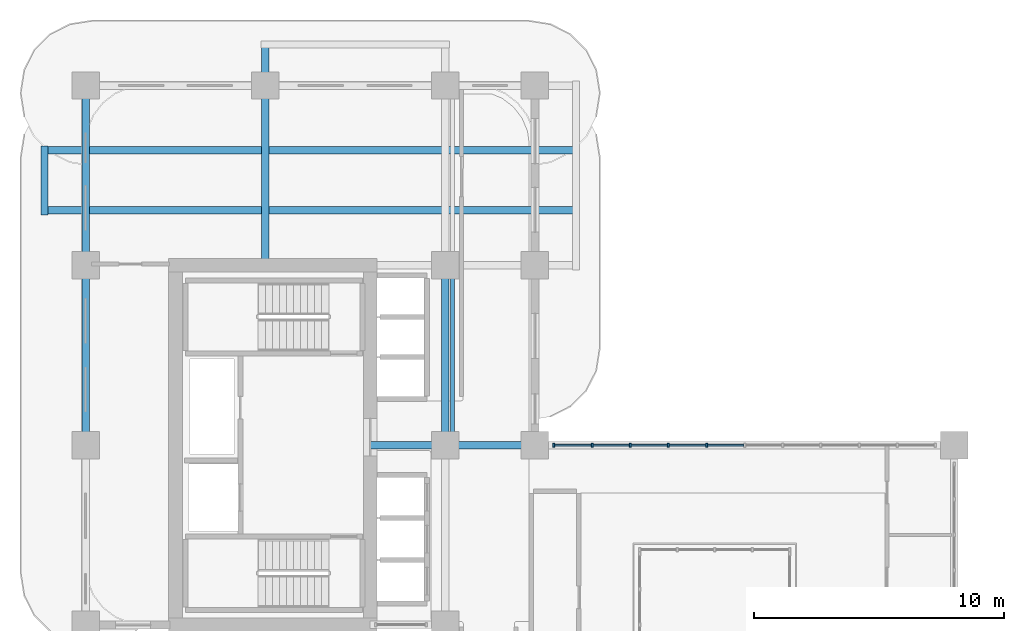
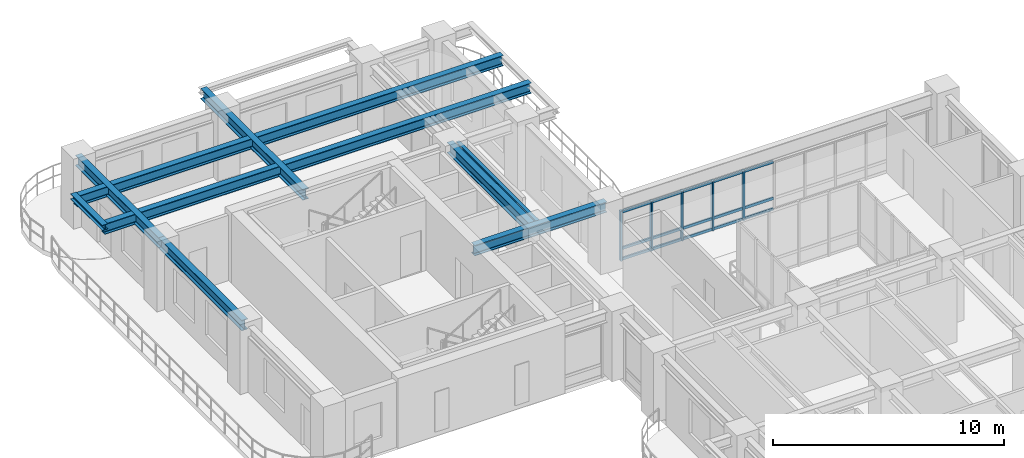
# One storey, part 6 of 22: 20 members, 9 beams, 1 element without a shape of its own.
"""IFC4 building model written with IfcOpenShell, lengths in metres."""

import ifcopenshell
import ifcopenshell.guid

model = None  # the IFC model being written
_history = None  # IfcOwnerHistory: only IFC2X3 demands one
_inside = {}  # id of a spatial element -> (the spatial element, [elements in it])
_under = {}  # id of a project, library or spatial element -> (it, [spatial elements below it])
_declared = {}  # id of a project -> (the project, [libraries it declares])
_typed = {}  # id of a type object -> (the type object, [elements of that type])
_made_of = {}  # id of a material, layer set ... -> (it, [elements and type objects made of it])


def new_model(schema):
    """Start an empty IFC model of exactly this schema.

    Asked for "IFC4X3", IfcOpenShell would pick the latest addendum, in which some entities
    have other attributes; the version numbers below select the first issue.
    IFC2X3 requires an IfcOwnerHistory on every rooted entity: one is made here for all.
    """
    global model, _history
    if schema == "IFC4X3":
        model = ifcopenshell.file(schema_version=(4, 3, 0, 0))
    else:
        model = ifcopenshell.file(schema=schema)
    _inside.clear()
    _under.clear()
    _declared.clear()
    _typed.clear()
    _made_of.clear()
    _history = None
    if model.schema == "IFC2X3":
        org = make("IfcOrganization", Name="unknown")
        user = make(
            "IfcPersonAndOrganization",
            ThePerson=make("IfcPerson", FamilyName="unknown"),
            TheOrganization=org,
        )
        app = make(
            "IfcApplication",
            ApplicationDeveloper=org,
            Version="unknown",
            ApplicationFullName="unknown",
            ApplicationIdentifier="unknown",
        )
        _history = make(
            "IfcOwnerHistory",
            OwningUser=user,
            OwningApplication=app,
            ChangeAction="ADDED",
            CreationDate=0,
        )
    return model


def make(cls, **values):
    """One entity of the class cls with the attributes given. An attribute that is None is left unset."""
    return model.create_entity(
        cls, **{name: value for name, value in values.items() if value is not None}
    )


def rooted(cls, **values):
    """An entity with a GlobalId (a new one), such as an element, a storey or a relation."""
    return make(cls, GlobalId=ifcopenshell.guid.new(), OwnerHistory=_history, **values)


def si_unit(unit_type, name, prefix=None):
    """IfcSIUnit, for example si_unit("LENGTHUNIT", "METRE", prefix="MILLI")."""
    return make("IfcSIUnit", UnitType=unit_type, Prefix=prefix, Name=name)


def derived_unit(unit_type, elements):
    """IfcDerivedUnit: a product of units, each with its exponent."""
    return make(
        "IfcDerivedUnit",
        Elements=[
            make("IfcDerivedUnitElement", Unit=unit, Exponent=power)
            for unit, power in elements
        ],
        UnitType=unit_type,
    )


def assignment(units):
    """IfcUnitAssignment: the units of a project."""
    return None if units is None else make("IfcUnitAssignment", Units=units)


def point(xyz):
    """IfcCartesianPoint."""
    return None if xyz is None else make("IfcCartesianPoint", Coordinates=xyz)


def direction(xyz):
    """IfcDirection."""
    return None if xyz is None else make("IfcDirection", DirectionRatios=xyz)


def frame(location, z_axis=None, x_axis=None):
    """IfcAxis2Placement3D, a coordinate frame: its origin and axes. An axis left out is left unset."""
    return make(
        "IfcAxis2Placement3D",
        Location=point(location),
        Axis=direction(z_axis),
        RefDirection=direction(x_axis),
    )


def frame_2d(location, x_axis=None):
    """IfcAxis2Placement2D, a coordinate frame in the plane: its origin and x axis."""
    return make(
        "IfcAxis2Placement2D", Location=point(location), RefDirection=direction(x_axis)
    )


def origin():
    """The frame at (0, 0, 0) with its axes left unset."""
    return frame((0.0, 0.0, 0.0))


def origin_2d():
    """The frame at (0, 0) in the plane with its x axis left unset."""
    return frame_2d((0.0, 0.0))


def place(relative_to, where):
    """IfcLocalPlacement: puts the frame where relative to a parent placement (None: the world)."""
    return make(
        "IfcLocalPlacement", PlacementRelTo=relative_to, RelativePlacement=where
    )


def context(
    kind, dimensions, precision=None, world=None, true_north=None, identifier=None
):
    """IfcGeometricRepresentationContext, for example the 3D "Model" context."""
    return make(
        "IfcGeometricRepresentationContext",
        ContextIdentifier=identifier,
        ContextType=kind,
        CoordinateSpaceDimension=dimensions,
        Precision=precision,
        WorldCoordinateSystem=world,
        TrueNorth=true_north,
    )


def subcontext(parent, identifier, kind, view, scale=None):
    """IfcGeometricRepresentationSubContext, for example "Body" below "Model"."""
    return make(
        "IfcGeometricRepresentationSubContext",
        ContextIdentifier=identifier,
        ContextType=kind,
        ParentContext=parent,
        TargetScale=scale,
        TargetView=view,
    )


def project(units=None, contexts=None):
    """IfcProject with its units and contexts."""
    return rooted(
        "IfcProject",
        Name="project",
        RepresentationContexts=contexts,
        UnitsInContext=assignment(units),
    )


def spatial(cls, under=None, at=None, **own):
    """A site, building, storey or space (cls), placed at a placement, below another one or the project."""
    s = rooted(cls, ObjectPlacement=at, **own)
    if under is not None:
        _under.setdefault(under.id(), (under, []))[1].append(s)
    return s


def profile(cls, at=None, kind="AREA", **sizes):
    """A parametric profile (cls). Its sizes go by their IFC names, for example OverallWidth=200.0."""
    return make(cls, ProfileType=kind, Position=at, **sizes)


def rectangle(**sizes):
    """IfcRectangleProfileDef."""
    return profile("IfcRectangleProfileDef", **sizes)


def i_section(**sizes):
    """IfcIShapeProfileDef."""
    return profile("IfcIShapeProfileDef", **sizes)


def extrude(swept, where, along, depth):
    """IfcExtrudedAreaSolid: the profile swept, set in the frame where, extruded along a direction by depth."""
    return make(
        "IfcExtrudedAreaSolid",
        SweptArea=swept,
        Position=where,
        ExtrudedDirection=direction(along),
        Depth=depth,
    )


def shape(context_of_items, identifier, shape_type, items):
    """IfcShapeRepresentation: the items that make up one representation, for example the "Body"."""
    return make(
        "IfcShapeRepresentation",
        ContextOfItems=context_of_items,
        RepresentationIdentifier=identifier,
        RepresentationType=shape_type,
        Items=items,
    )


def source(mapping_origin, context_of_items, identifier, shape_type, items):
    """IfcRepresentationMap: a shape defined once, which mapped items show again and again."""
    return make(
        "IfcRepresentationMap",
        MappingOrigin=mapping_origin,
        MappedRepresentation=shape(context_of_items, identifier, shape_type, items),
    )


def transform(
    local_origin,
    x_axis=None,
    y_axis=None,
    z_axis=None,
    scale=None,
    scale2=None,
    scale3=None,
    uniform=True,
):
    """IfcCartesianTransformationOperator3D, or its non-uniform kind. x_axis, y_axis, z_axis: its Axis1, 2, 3."""
    if uniform:
        return make(
            "IfcCartesianTransformationOperator3D",
            Axis1=direction(x_axis),
            Axis2=direction(y_axis),
            LocalOrigin=point(local_origin),
            Scale=scale,
            Axis3=direction(z_axis),
        )
    return make(
        "IfcCartesianTransformationOperator3DnonUniform",
        Axis1=direction(x_axis),
        Axis2=direction(y_axis),
        LocalOrigin=point(local_origin),
        Scale=scale,
        Axis3=direction(z_axis),
        Scale2=scale2,
        Scale3=scale3,
    )


def mapped(mapping_source, mapping_target):
    """IfcMappedItem: shows the shape of a source again, moved by a transform."""
    return make(
        "IfcMappedItem", MappingSource=mapping_source, MappingTarget=mapping_target
    )


def material(Name=None, Category=None):
    """IfcMaterial."""
    return make("IfcMaterial", Name=Name, Category=Category)


def layer(
    of_material, thickness, ventilated=None, Name=None, Category=None, Priority=None
):
    """IfcMaterialLayer: one layer of a wall or slab, of a material (None: an air gap)."""
    return make(
        "IfcMaterialLayer",
        Material=of_material,
        LayerThickness=thickness,
        IsVentilated=ventilated,
        Name=Name,
        Category=Category,
        Priority=Priority,
    )


def layer_set(layers, Name=None):
    """IfcMaterialLayerSet."""
    return make("IfcMaterialLayerSet", MaterialLayers=layers, LayerSetName=Name)


def material_profile(
    of_material, cross_section, Name=None, Category=None, Priority=None
):
    """IfcMaterialProfile: a cross section and its material."""
    return make(
        "IfcMaterialProfile",
        Name=Name,
        Material=of_material,
        Profile=cross_section,
        Priority=Priority,
        Category=Category,
    )


def profile_set(profiles, Name=None, composite=None):
    """IfcMaterialProfileSet."""
    return make(
        "IfcMaterialProfileSet",
        Name=Name,
        MaterialProfiles=profiles,
        CompositeProfile=composite,
    )


def made_of(thing, what):
    """Note that an element or type object is made of a material, layer set ...; save() writes the relation."""
    if what is not None:
        _made_of.setdefault(what.id(), (what, []))[1].append(thing)
    return thing


def type_object(cls, material=None, **own):
    """A type object (cls), such as IfcWallType, which elements share."""
    return made_of(rooted(cls, **own), material)


def type_shapes(of_type, sources):
    """Give a type object the sources (RepresentationMaps) that its elements show as mapped items."""
    of_type.RepresentationMaps = sources


def element(
    cls,
    number,
    at=None,
    inside=None,
    cuts=None,
    type_object=None,
    material=None,
    context=None,
    identifier="Body",
    shape_type=None,
    held_by="IfcProductDefinitionShape",
    body=None,
    shapes=None,
    **own,
):
    """One element of the class cls, such as IfcWall. Its Tag is "e" and its number.

    at: its placement. inside: the storey or other place that contains it. cuts: it is an
    opening in that element (IfcRelVoidsElement). A single representation is given by context,
    identifier, shape_type and body (its items); several are given by shapes. held_by: the class
    of the entity that holds the representations. save() writes the other relations.
    """
    e = rooted(cls, Tag="e%d" % number, ObjectPlacement=at, **own)
    if body is not None:
        shapes = [shape(context, identifier, shape_type, body)]
    if shapes is not None:
        e.Representation = make(held_by, Representations=shapes)
    if inside is not None:
        _inside.setdefault(inside.id(), (inside, []))[1].append(e)
    if cuts is not None:
        rooted(
            "IfcRelVoidsElement", RelatingBuildingElement=cuts, RelatedOpeningElement=e
        )
    if type_object is not None:
        _typed.setdefault(type_object.id(), (type_object, []))[1].append(e)
    return made_of(e, material)


def aggregate(whole, parts):
    """IfcRelAggregates: a whole, such as a stair, and the parts it consists of."""
    return rooted("IfcRelAggregates", RelatingObject=whole, RelatedObjects=parts)


def save(model, path):
    """Write the relations noted so far, then the file.

    IfcRelAggregates (storeys below a building ...), IfcRelContainedInSpatialStructure (elements
    in a storey), IfcRelDefinesByType, IfcRelAssociatesMaterial and IfcRelDeclares: one each for
    every whole, place, type object, material and project.
    """
    for whole, parts in _under.values():
        aggregate(whole, parts)
    for where, things in _inside.values():
        rooted(
            "IfcRelContainedInSpatialStructure",
            RelatedElements=things,
            RelatingStructure=where,
        )
    for kind, things in _typed.values():
        rooted("IfcRelDefinesByType", RelatedObjects=things, RelatingType=kind)
    for what, things in _made_of.values():
        rooted("IfcRelAssociatesMaterial", RelatedObjects=things, RelatingMaterial=what)
    for by, libraries in _declared.values():
        rooted("IfcRelDeclares", RelatingContext=by, RelatedDefinitions=libraries)
    model.write(path)


model = new_model("IFC4")

# Units and contexts
model_context = context("Model", 3, precision=1e-05, world=origin(), true_north=direction((0.0, 1.0)))
body_context = subcontext(model_context, "Body", "Model", "MODEL_VIEW")
ifc_project = project(units=[si_unit("LENGTHUNIT", "METRE"), si_unit("AREAUNIT", "SQUARE_METRE"), si_unit("VOLUMEUNIT", "CUBIC_METRE"), si_unit("PLANEANGLEUNIT", "RADIAN"), si_unit("MASSUNIT", "GRAM", prefix="KILO"), si_unit("THERMODYNAMICTEMPERATUREUNIT", "KELVIN"), si_unit("POWERUNIT", "WATT"), derived_unit("THERMALTRANSMITTANCEUNIT", [(si_unit("POWERUNIT", "WATT"), 1), (si_unit("AREAUNIT", "SQUARE_METRE"), -1), (si_unit("THERMODYNAMICTEMPERATUREUNIT", "KELVIN"), -1)])], contexts=[model_context])

# Site, building, storey
site_placement = place(None, origin())
site = spatial("IfcSite", under=ifc_project, at=site_placement, CompositionType="ELEMENT")
building_placement = place(site_placement, origin())
building = spatial("IfcBuilding", under=site, at=building_placement, Name="Zahravan Archway Hotel and Residences", CompositionType="ELEMENT")
storey_placement = place(building_placement, frame((0.0, 0.0, 99.0)))
storey = spatial("IfcBuildingStorey", under=building, at=storey_placement, Name="L24", CompositionType="ELEMENT", Elevation=99.0)

# Beams
ifc_material_1 = material(Name="Structural Steel S355JR", Category="steel")
ifc_material_profile_1 = material_profile(ifc_material_1, i_section(OverallWidth=0.280029296875, OverallDepth=0.280029296875, WebThickness=0.010498046875, FlangeThickness=0.01806640625, FilletRadius=0.02392578125, at=origin_2d()), Name="HEB 280", Category="steel")
ifc_profile_set_1 = profile_set([ifc_material_profile_1], Name="Structural Steel S355JR")
beam_type_1 = type_object("IfcBeamType", Name="BM-SPN-HEB280", PredefinedType="SPANDREL", material=ifc_profile_set_1)
shared_shape_1 = source(origin(), body_context, "Body", "SweptSolid", [
    extrude(i_section(OverallWidth=0.280029296875, OverallDepth=0.280029296875, WebThickness=0.010498046875, FlangeThickness=0.01806640625, FilletRadius=0.02392578125, at=origin_2d()), origin(), (0.0, 0.0, 1.0), 2.759765625),
])
beam_1_placement = place(storey_placement, frame((-1.64990234375, 41.6201171875, 3.31005859375), z_axis=(0.0, 1.0, 0.0), x_axis=(-1.0, 0.0, 0.0)))
element("IfcBeam", 1, at=beam_1_placement, inside=storey, type_object=beam_type_1, Name="L25 WB Balcony Edge Spandrel", PredefinedType="SPANDREL", context=body_context, shape_type="MappedRepresentation", body=[
    mapped(shared_shape_1, transform((0.0, 0.0, 0.0), scale=1.0)),
])
ifc_material_profile_2 = material_profile(ifc_material_1, i_section(OverallWidth=0.300048828125, OverallDepth=0.550048828125, WebThickness=0.014892578125, FlangeThickness=0.029052734375, FilletRadius=0.027099609375, at=origin_2d()), Name="HEB 550", Category="steel")
ifc_profile_set_2 = profile_set([ifc_material_profile_2], Name="Structural Steel S355JR")
beam_type_2 = type_object("IfcBeamType", Name="BM-PRI-HEB550", PredefinedType="BEAM", material=ifc_profile_set_2)
shared_shape_2 = source(origin(), body_context, "Body", "SweptSolid", [
    extrude(i_section(OverallWidth=0.300048828125, OverallDepth=0.550048828125, WebThickness=0.014892578125, FlangeThickness=0.029052734375, FilletRadius=0.027099609375, at=origin_2d()), origin(), (0.0, 0.0, 1.0), 7.2001953125),
])
type_shapes(beam_type_2, [shared_shape_2])
for number, where, z_axis, x_axis, name in (
    (2, (0.0, 32.39990234375, 3.175048828125), (0.0, 1.0, 0.0), (-1.0, 0.0, 0.0), "L24 Primary Girder NS-29"),
    (3, (14.39990234375, 32.39990234375, 3.175048828125), (0.0, 1.0, 0.0), (-1.0, 0.0, 0.0), "L24 Primary Girder NS-37"),
):
    element("IfcBeam", number, at=place(storey_placement, frame(where, z_axis=z_axis, x_axis=x_axis)), inside=storey, type_object=beam_type_2, Name=name, PredefinedType="BEAM", context=body_context, shape_type="MappedRepresentation", body=[
        mapped(shared_shape_2, transform((0.0, 0.0, 0.0), scale=1.0)),
    ])
shared_shape_3 = source(origin(), body_context, "Body", "SweptSolid", [
    extrude(i_section(OverallWidth=0.300048828125, OverallDepth=0.550048828125, WebThickness=0.014892578125, FlangeThickness=0.029052734375, FilletRadius=0.027099609375, at=origin_2d()), origin(), (0.0, 0.0, 1.0), 7.199951171875),
])
beam_2_placement = place(storey_placement, frame((0.0, 39.60009765625, 3.175048828125), z_axis=(0.0, 1.0, 0.0), x_axis=(-1.0, 0.0, 0.0)))
element("IfcBeam", 4, at=beam_2_placement, inside=storey, type_object=beam_type_2, Name="L24 Primary Girder NS-30", PredefinedType="BEAM", context=body_context, shape_type="MappedRepresentation", body=[
    mapped(shared_shape_3, transform((0.0, 0.0, 0.0), scale=1.0)),
])
shared_shape_4 = source(origin(), body_context, "Body", "SweptSolid", [
    extrude(i_section(OverallWidth=0.300048828125, OverallDepth=0.550048828125, WebThickness=0.014892578125, FlangeThickness=0.029052734375, FilletRadius=0.027099609375, at=origin_2d()), origin(), (0.0, 0.0, 1.0), 6.60009765625),
])
beam_3_placement = place(storey_placement, frame((11.39990234375, 32.39990234375, 3.175048828125), z_axis=(1.0, 0.0, 0.0), x_axis=(0.0, 1.0, 0.0)))
element("IfcBeam", 5, at=beam_3_placement, inside=storey, type_object=beam_type_2, Name="L24 Primary Girder EW-21", PredefinedType="BEAM", context=body_context, shape_type="MappedRepresentation", body=[
    mapped(shared_shape_4, transform((0.0, 0.0, 0.0), scale=1.0)),
])
shared_shape_5 = source(origin(), body_context, "Body", "SweptSolid", [
    extrude(i_section(OverallWidth=0.300048828125, OverallDepth=0.550048828125, WebThickness=0.014892578125, FlangeThickness=0.029052734375, FilletRadius=0.027099609375, at=origin_2d()), origin(), (0.0, 0.0, 1.0), 21.2998046875),
])
for number, where, z_axis, x_axis, name in (
    (6, (-1.64990234375, 41.800048828125, 3.175048828125), (1.0, 0.0, 0.0), (0.0, 1.0, 0.0), "L24 Primary Girder EW-26"),
    (7, (-1.64990234375, 44.199951171875, 3.175048828125), (1.0, 0.0, 0.0), (0.0, 1.0, 0.0), "L24 Primary Girder EW-27"),
):
    element("IfcBeam", number, at=place(storey_placement, frame(where, z_axis=z_axis, x_axis=x_axis)), inside=storey, type_object=beam_type_2, Name=name, PredefinedType="BEAM", context=body_context, shape_type="MappedRepresentation", body=[
        mapped(shared_shape_5, transform((0.0, 0.0, 0.0), scale=1.0)),
    ])
shared_shape_6 = source(origin(), body_context, "Body", "SweptSolid", [
    extrude(i_section(OverallWidth=0.300048828125, OverallDepth=0.550048828125, WebThickness=0.014892578125, FlangeThickness=0.029052734375, FilletRadius=0.027099609375, at=origin_2d()), origin(), (0.0, 0.0, 1.0), 8.849853515625),
])
beam_4_placement = place(storey_placement, frame((7.199951171875, 39.60009765625, 3.175048828125), z_axis=(0.0, 1.0, 0.0), x_axis=(-1.0, 0.0, 0.0)))
element("IfcBeam", 8, at=beam_4_placement, inside=storey, type_object=beam_type_2, Name="L24 Primary Girder NS-31", PredefinedType="BEAM", context=body_context, shape_type="MappedRepresentation", body=[
    mapped(shared_shape_6, transform((0.0, 0.0, 0.0), scale=1.0)),
])
ifc_material_profile_3 = material_profile(ifc_material_1, i_section(OverallWidth=0.169921875, OverallDepth=0.360107421875, WebThickness=0.008056640625, FlangeThickness=0.0126953125, FilletRadius=0.01806640625, at=origin_2d()), Name="IPE 360", Category="steel")
ifc_profile_set_3 = profile_set([ifc_material_profile_3], Name="Structural Steel S355JR")
beam_type_3 = type_object("IfcBeamType", Name="BM-JST-IPE360", PredefinedType="JOIST", material=ifc_profile_set_3)
shared_shape_7 = source(origin(), body_context, "Body", "SweptSolid", [
    extrude(i_section(OverallWidth=0.169921875, OverallDepth=0.360107421875, WebThickness=0.008056640625, FlangeThickness=0.0126953125, FilletRadius=0.01806640625, at=origin_2d()), origin(), (0.0, 0.0, 1.0), 6.90380859375),
])
beam_5_placement = place(storey_placement, frame((14.699951171875, 32.548095703125, 3.27001953125), z_axis=(0.0, 1.0, 0.0), x_axis=(-1.0, 0.0, 0.0)))
element("IfcBeam", 9, at=beam_5_placement, inside=storey, type_object=beam_type_3, Name="L24 Composite Floor Joist 13", PredefinedType="JOIST", context=body_context, shape_type="MappedRepresentation", body=[
    mapped(shared_shape_7, transform((0.0, 0.0, 0.0), scale=1.0)),
])

# Curtain wall, members
ifc_material_2 = material(Name="Bronze-Anodized Unitised Aluminium & Low-E Glass", Category="aluminium")
ifc_layer = layer(ifc_material_2, 0.179931640625, Name="Bronze-Anodized Unitised Aluminium & Low-E Glass", Category="aluminium")
ifc_layer_set = layer_set([ifc_layer], Name="Bronze-Anodized Unitised Aluminium & Low-E Glass")
curtain_wall_type = type_object("IfcCurtainWallType", Name="CW-TWR-FEAT", PredefinedType="NOTDEFINED", material=ifc_layer_set)
curtain_wall_placement = place(storey_placement, origin())
curtain_wall = element("IfcCurtainWall", 10, at=curtain_wall_placement, inside=storey, type_object=curtain_wall_type, Name="L24 Curtain Wall CW-L24-HNG-N-1", PredefinedType="NOTDEFINED")
ifc_material_3 = material(Name="Bronze-Anodized Extruded Aluminium", Category="aluminium")
ifc_material_profile_4 = material_profile(ifc_material_3, rectangle(XDim=0.080078125, YDim=0.159912109375, at=origin_2d()), Name="MUL 80x160", Category="aluminium")
ifc_profile_set_4 = profile_set([ifc_material_profile_4], Name="Bronze-Anodized Extruded Aluminium")
member_type_1 = type_object("IfcMemberType", Name="CWM-MUL-160", PredefinedType="MULLION", material=ifc_profile_set_4)
shared_shape_8 = source(origin(), body_context, "Body", "SweptSolid", [
    extrude(rectangle(XDim=0.080078125, YDim=0.159912109375, at=origin_2d()), origin(), (0.0, 0.0, 1.0), 2.635009765625),
])
member_1_placement = place(storey_placement, frame((18.760009765625, 32.39990234375, 0.0), z_axis=(0.0, 0.0, 1.0), x_axis=(1.0, 0.0, 0.0)))
member_1 = element("IfcMember", 11, at=member_1_placement, type_object=member_type_1, Name="CW-L24-HNG-N-1 Mullion 0", PredefinedType="MULLION", context=body_context, shape_type="MappedRepresentation", body=[
    mapped(shared_shape_8, transform((0.0, 0.0, 0.0), scale=1.0)),
])
member_2_placement = place(storey_placement, frame((20.2880859375, 32.39990234375, 0.0), z_axis=(0.0, 0.0, 1.0), x_axis=(1.0, 0.0, 0.0)))
member_2 = element("IfcMember", 12, at=member_2_placement, type_object=member_type_1, Name="CW-L24-HNG-N-1 Mullion 1", PredefinedType="MULLION", context=body_context, shape_type="MappedRepresentation", body=[
    mapped(shared_shape_8, transform((0.0, 0.0, 0.0), scale=1.0)),
])
member_3_placement = place(storey_placement, frame((21.81591796875, 32.39990234375, 0.0), z_axis=(0.0, 0.0, 1.0), x_axis=(1.0, 0.0, 0.0)))
member_3 = element("IfcMember", 13, at=member_3_placement, type_object=member_type_1, Name="CW-L24-HNG-N-1 Mullion 2", PredefinedType="MULLION", context=body_context, shape_type="MappedRepresentation", body=[
    mapped(shared_shape_8, transform((0.0, 0.0, 0.0), scale=1.0)),
])
member_4_placement = place(storey_placement, frame((23.343994140625, 32.39990234375, 0.0), z_axis=(0.0, 0.0, 1.0), x_axis=(1.0, 0.0, 0.0)))
member_4 = element("IfcMember", 14, at=member_4_placement, type_object=member_type_1, Name="CW-L24-HNG-N-1 Mullion 3", PredefinedType="MULLION", context=body_context, shape_type="MappedRepresentation", body=[
    mapped(shared_shape_8, transform((0.0, 0.0, 0.0), scale=1.0)),
])
member_5_placement = place(storey_placement, frame((24.8720703125, 32.39990234375, 0.0), z_axis=(0.0, 0.0, 1.0), x_axis=(1.0, 0.0, 0.0)))
member_5 = element("IfcMember", 15, at=member_5_placement, type_object=member_type_1, Name="CW-L24-HNG-N-1 Mullion 4", PredefinedType="MULLION", context=body_context, shape_type="MappedRepresentation", body=[
    mapped(shared_shape_8, transform((0.0, 0.0, 0.0), scale=1.0)),
])
ifc_material_profile_5 = material_profile(ifc_material_3, rectangle(XDim=0.080078125, YDim=0.139892578125, at=origin_2d()), Name="TRN 80x140", Category="aluminium")
ifc_profile_set_5 = profile_set([ifc_material_profile_5], Name="Bronze-Anodized Extruded Aluminium")
member_type_2 = type_object("IfcMemberType", Name="CWM-TRN-140", PredefinedType="USERDEFINED", material=ifc_profile_set_5)
shared_shape_9 = source(origin(), body_context, "Body", "SweptSolid", [
    extrude(rectangle(XDim=0.080078125, YDim=0.139892578125, at=origin_2d()), origin(), (0.0, 0.0, 1.0), 1.447998046875),
])
member_6_placement = place(storey_placement, frame((18.800048828125, 32.39990234375, 0.070068359375), z_axis=(1.0, 0.0, 0.0), x_axis=(0.0, 1.0, 0.0)))
member_6 = element("IfcMember", 16, at=member_6_placement, type_object=member_type_2, Name="CW-L24-HNG-N-1 Transom 0-1", ObjectType="TRANSOM", PredefinedType="USERDEFINED", context=body_context, shape_type="MappedRepresentation", body=[
    mapped(shared_shape_9, transform((0.0, 0.0, 0.0), scale=1.0)),
])
member_7_placement = place(storey_placement, frame((18.800048828125, 32.39990234375, 0.63232421875), z_axis=(1.0, 0.0, 0.0), x_axis=(0.0, 1.0, 0.0)))
member_7 = element("IfcMember", 17, at=member_7_placement, type_object=member_type_2, Name="CW-L24-HNG-N-1 Transom 0-2", ObjectType="TRANSOM", PredefinedType="USERDEFINED", context=body_context, shape_type="MappedRepresentation", body=[
    mapped(shared_shape_9, transform((0.0, 0.0, 0.0), scale=1.0)),
])
member_8_placement = place(storey_placement, frame((18.800048828125, 32.39990234375, 2.56494140625), z_axis=(1.0, 0.0, 0.0), x_axis=(0.0, 1.0, 0.0)))
member_8 = element("IfcMember", 18, at=member_8_placement, type_object=member_type_2, Name="CW-L24-HNG-N-1 Transom 0-3", ObjectType="TRANSOM", PredefinedType="USERDEFINED", context=body_context, shape_type="MappedRepresentation", body=[
    mapped(shared_shape_9, transform((0.0, 0.0, 0.0), scale=1.0)),
])
member_9_placement = place(storey_placement, frame((20.327880859375, 32.39990234375, 0.070068359375), z_axis=(1.0, 0.0, 0.0), x_axis=(0.0, 1.0, 0.0)))
member_9 = element("IfcMember", 19, at=member_9_placement, type_object=member_type_2, Name="CW-L24-HNG-N-1 Transom 1-1", ObjectType="TRANSOM", PredefinedType="USERDEFINED", context=body_context, shape_type="MappedRepresentation", body=[
    mapped(shared_shape_9, transform((0.0, 0.0, 0.0), scale=1.0)),
])
member_10_placement = place(storey_placement, frame((20.327880859375, 32.39990234375, 0.63232421875), z_axis=(1.0, 0.0, 0.0), x_axis=(0.0, 1.0, 0.0)))
member_10 = element("IfcMember", 20, at=member_10_placement, type_object=member_type_2, Name="CW-L24-HNG-N-1 Transom 1-2", ObjectType="TRANSOM", PredefinedType="USERDEFINED", context=body_context, shape_type="MappedRepresentation", body=[
    mapped(shared_shape_9, transform((0.0, 0.0, 0.0), scale=1.0)),
])
member_11_placement = place(storey_placement, frame((20.327880859375, 32.39990234375, 2.56494140625), z_axis=(1.0, 0.0, 0.0), x_axis=(0.0, 1.0, 0.0)))
member_11 = element("IfcMember", 21, at=member_11_placement, type_object=member_type_2, Name="CW-L24-HNG-N-1 Transom 1-3", ObjectType="TRANSOM", PredefinedType="USERDEFINED", context=body_context, shape_type="MappedRepresentation", body=[
    mapped(shared_shape_9, transform((0.0, 0.0, 0.0), scale=1.0)),
])
member_12_placement = place(storey_placement, frame((21.85595703125, 32.39990234375, 0.070068359375), z_axis=(1.0, 0.0, 0.0), x_axis=(0.0, 1.0, 0.0)))
member_12 = element("IfcMember", 22, at=member_12_placement, type_object=member_type_2, Name="CW-L24-HNG-N-1 Transom 2-1", ObjectType="TRANSOM", PredefinedType="USERDEFINED", context=body_context, shape_type="MappedRepresentation", body=[
    mapped(shared_shape_9, transform((0.0, 0.0, 0.0), scale=1.0)),
])
member_13_placement = place(storey_placement, frame((21.85595703125, 32.39990234375, 0.63232421875), z_axis=(1.0, 0.0, 0.0), x_axis=(0.0, 1.0, 0.0)))
member_13 = element("IfcMember", 23, at=member_13_placement, type_object=member_type_2, Name="CW-L24-HNG-N-1 Transom 2-2", ObjectType="TRANSOM", PredefinedType="USERDEFINED", context=body_context, shape_type="MappedRepresentation", body=[
    mapped(shared_shape_9, transform((0.0, 0.0, 0.0), scale=1.0)),
])
member_14_placement = place(storey_placement, frame((21.85595703125, 32.39990234375, 2.56494140625), z_axis=(1.0, 0.0, 0.0), x_axis=(0.0, 1.0, 0.0)))
member_14 = element("IfcMember", 24, at=member_14_placement, type_object=member_type_2, Name="CW-L24-HNG-N-1 Transom 2-3", ObjectType="TRANSOM", PredefinedType="USERDEFINED", context=body_context, shape_type="MappedRepresentation", body=[
    mapped(shared_shape_9, transform((0.0, 0.0, 0.0), scale=1.0)),
])
member_15_placement = place(storey_placement, frame((23.384033203125, 32.39990234375, 0.070068359375), z_axis=(1.0, 0.0, 0.0), x_axis=(0.0, 1.0, 0.0)))
member_15 = element("IfcMember", 25, at=member_15_placement, type_object=member_type_2, Name="CW-L24-HNG-N-1 Transom 3-1", ObjectType="TRANSOM", PredefinedType="USERDEFINED", context=body_context, shape_type="MappedRepresentation", body=[
    mapped(shared_shape_9, transform((0.0, 0.0, 0.0), scale=1.0)),
])
member_16_placement = place(storey_placement, frame((23.384033203125, 32.39990234375, 0.63232421875), z_axis=(1.0, 0.0, 0.0), x_axis=(0.0, 1.0, 0.0)))
member_16 = element("IfcMember", 26, at=member_16_placement, type_object=member_type_2, Name="CW-L24-HNG-N-1 Transom 3-2", ObjectType="TRANSOM", PredefinedType="USERDEFINED", context=body_context, shape_type="MappedRepresentation", body=[
    mapped(shared_shape_9, transform((0.0, 0.0, 0.0), scale=1.0)),
])
member_17_placement = place(storey_placement, frame((23.384033203125, 32.39990234375, 2.56494140625), z_axis=(1.0, 0.0, 0.0), x_axis=(0.0, 1.0, 0.0)))
member_17 = element("IfcMember", 27, at=member_17_placement, type_object=member_type_2, Name="CW-L24-HNG-N-1 Transom 3-3", ObjectType="TRANSOM", PredefinedType="USERDEFINED", context=body_context, shape_type="MappedRepresentation", body=[
    mapped(shared_shape_9, transform((0.0, 0.0, 0.0), scale=1.0)),
])
member_18_placement = place(storey_placement, frame((24.912109375, 32.39990234375, 0.070068359375), z_axis=(1.0, 0.0, 0.0), x_axis=(0.0, 1.0, 0.0)))
member_18 = element("IfcMember", 28, at=member_18_placement, type_object=member_type_2, Name="CW-L24-HNG-N-1 Transom 4-1", ObjectType="TRANSOM", PredefinedType="USERDEFINED", context=body_context, shape_type="MappedRepresentation", body=[
    mapped(shared_shape_9, transform((0.0, 0.0, 0.0), scale=1.0)),
])
member_19_placement = place(storey_placement, frame((24.912109375, 32.39990234375, 0.63232421875), z_axis=(1.0, 0.0, 0.0), x_axis=(0.0, 1.0, 0.0)))
member_19 = element("IfcMember", 29, at=member_19_placement, type_object=member_type_2, Name="CW-L24-HNG-N-1 Transom 4-2", ObjectType="TRANSOM", PredefinedType="USERDEFINED", context=body_context, shape_type="MappedRepresentation", body=[
    mapped(shared_shape_9, transform((0.0, 0.0, 0.0), scale=1.0)),
])
member_20_placement = place(storey_placement, frame((24.912109375, 32.39990234375, 2.56494140625), z_axis=(1.0, 0.0, 0.0), x_axis=(0.0, 1.0, 0.0)))
member_20 = element("IfcMember", 30, at=member_20_placement, type_object=member_type_2, Name="CW-L24-HNG-N-1 Transom 4-3", ObjectType="TRANSOM", PredefinedType="USERDEFINED", context=body_context, shape_type="MappedRepresentation", body=[
    mapped(shared_shape_9, transform((0.0, 0.0, 0.0), scale=1.0)),
])
aggregate(curtain_wall, [member_1, member_2, member_3, member_4, member_5, member_6, member_7, member_8, member_9, member_10, member_11, member_12, member_13, member_14, member_15, member_16, member_17, member_18, member_19, member_20])

save(model, "model.ifc")
